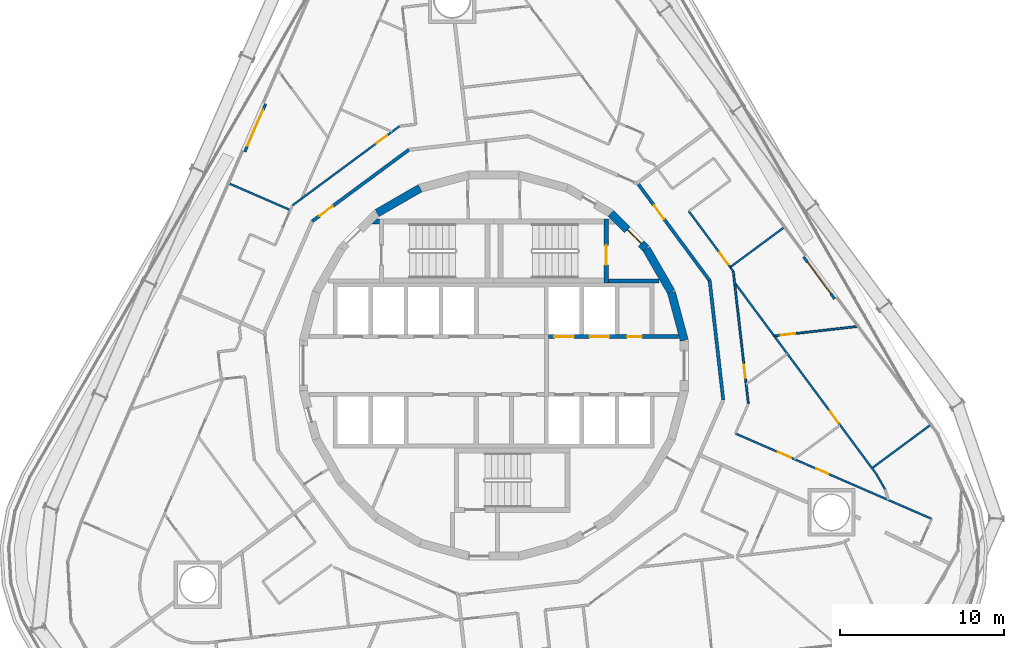
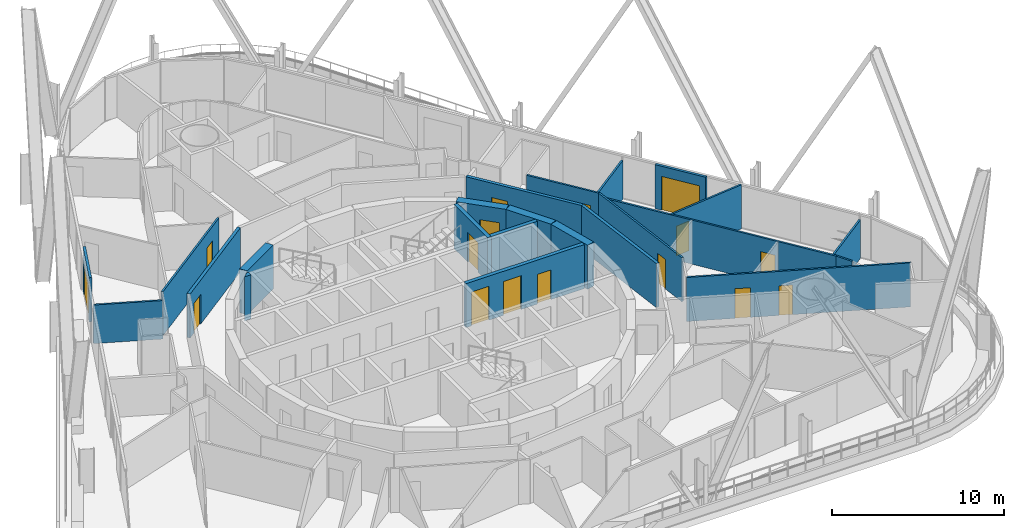
# One storey, part 20 of 32: 24 walls, 16 doors, 16 openings.
"""IFC4 building model written with IfcOpenShell, lengths in metres."""

from ifc_helpers import new_model, si_unit, direction, frame, frame_2d, origin, place, context, subcontext, project, spatial, polyline, rectangle, outline, extrude, material, layer, layer_set, type_object, element, fill, save


model = new_model("IFC4")

# Units and contexts
model_context = context("Model", 3, precision=1e-05, world=origin(), true_north=direction((0.0, 1.0)))
body_context = subcontext(model_context, "Body", "Model", "MODEL_VIEW")
ifc_project = project(units=[si_unit("LENGTHUNIT", "METRE"), si_unit("AREAUNIT", "SQUARE_METRE"), si_unit("VOLUMEUNIT", "CUBIC_METRE"), si_unit("PLANEANGLEUNIT", "RADIAN"), si_unit("MASSUNIT", "GRAM", prefix="KILO")], contexts=[model_context])

# Site, building, storey
site_placement = place(None, origin())
site = spatial("IfcSite", under=ifc_project, at=site_placement, CompositionType="ELEMENT")
building_placement = place(site_placement, origin())
building = spatial("IfcBuilding", under=site, at=building_placement, Name="Spindle Arch Residences", CompositionType="ELEMENT")
storey_placement = place(building_placement, frame((0.0, 0.0, 76.699951171875)))
storey = spatial("IfcBuildingStorey", under=building, at=storey_placement, Name="L17", CompositionType="ELEMENT", Elevation=76.699951171875)

# Walls
ifc_material_1 = material(Name="Concrete C50/60", Category="concrete")
ifc_layer_1 = layer(ifc_material_1, 0.5)
ifc_layer_set_1 = layer_set([ifc_layer_1], Name="Core outline wall 500")
wall_type_1 = type_object("IfcWallType", Name="Core outline wall 500", PredefinedType="SHEAR", material=ifc_layer_set_1)
for number, where, z_axis, x_axis, name in (
    (1, (11.642822265625, 1.5498046875, 0.0), (0.0, 0.0, 1.0), (-0.258734743916, 0.965948410781, 0.0), "Core outline wall 7"),
    (2, (10.84521484375, 4.510498046875, 0.0), (0.0, 0.0, 1.0), (-0.500087131594, 0.865975092491, 0.0), "Core outline wall 8"),
):
    element("IfcWall", number, at=place(storey_placement, frame(where, z_axis=z_axis, x_axis=x_axis)), inside=storey, type_object=wall_type_1, Name=name, PredefinedType="SHEAR", context=body_context, shape_type="SweptSolid", body=[
        extrude(rectangle(XDim=3.03271484375, YDim=0.5, at=frame_2d((1.516357421875, 0.0))), origin(), (0.0, 0.0, 1.0), 3.1201171875),
    ])

# Wall, opening, door
wall_1_placement = place(storey_placement, frame((9.30810546875, 7.163818359375, 0.0), z_axis=(0.0, 0.0, 1.0), x_axis=(-0.707106781187, 0.707106781187, 0.0)))
wall_1 = element("IfcWall", 3, at=wall_1_placement, inside=storey, type_object=wall_type_1, Name="Core outline wall 9", PredefinedType="SHEAR", context=body_context, shape_type="SweptSolid", body=[
    extrude(rectangle(XDim=3.032470703125, YDim=0.5, at=frame_2d((1.51611328125, 0.0))), origin(), (0.0, 0.0, 1.0), 3.1201171875),
])
opening_1_placement = place(wall_1_placement, frame((0.416259765625, 0.0, 0.0)))
opening_1 = element("IfcOpeningElement", 4, at=opening_1_placement, cuts=wall_1, Name="Opening R2A0-AD01", PredefinedType="OPENING", context=body_context, shape_type="SweptSolid", body=[
    extrude(rectangle(XDim=1.199951171875, YDim=2.10009765625, at=frame_2d((0.60009765625, 1.050048828125))), frame((0.0, 0.260009765625, 0.0), z_axis=(0.0, -1.0, 0.0), x_axis=(1.0, 0.0, 0.0)), (0.0, 0.0, 1.0), 0.52001953125),
])
ifc_material_2 = material(Name="Steel, fire-resisting door", Category="steel")
door_type_1 = type_object("IfcDoorType", Name="Stair airlock door 1200x2100", OperationType="SINGLE_SWING_LEFT", PredefinedType="DOOR", material=ifc_material_2)
door_1_placement = place(opening_1_placement, origin())
door_1 = element("IfcDoor", 5, at=door_1_placement, inside=storey, type_object=door_type_1, Name="Stair airlock door R2A0-AD01", OperationType="SINGLE_SWING_RIGHT", OverallHeight=2.10009765625, OverallWidth=1.199951171875, PredefinedType="DOOR", context=body_context, shape_type="SweptSolid", body=[
    extrude(rectangle(XDim=1.199951171875, YDim=2.10009765625, at=frame_2d((0.60009765625, 1.050048828125))), frame((0.0, 0.02490234375, 0.0), z_axis=(0.0, -1.0, 0.0), x_axis=(1.0, 0.0, 0.0)), (0.0, 0.0, 1.0), 0.050048828125),
])
fill(opening_1, door_1)

# Walls
wall_2_placement = place(storey_placement, frame((-4.510498046875, 10.84521484375, 0.0), z_axis=(0.0, 0.0, 1.0), x_axis=(-0.865975092491, -0.500087131594, 0.0)))
element("IfcWall", 6, at=wall_2_placement, inside=storey, type_object=wall_type_1, Name="Core outline wall 14", PredefinedType="SHEAR", context=body_context, shape_type="SweptSolid", body=[
    extrude(rectangle(XDim=3.03271484375, YDim=0.5, at=frame_2d((1.516357421875, 0.0))), origin(), (0.0, 0.0, 1.0), 3.1201171875),
])
ifc_material_3 = material(Name="Calcium silicate block, plastered")
ifc_layer_2 = layer(ifc_material_3, 0.199951171875)
ifc_layer_set_2 = layer_set([ifc_layer_2], Name="Corridor wall 200")
wall_type_2 = type_object("IfcWallType", Name="Corridor wall 200", PredefinedType="STANDARD", material=ifc_layer_set_2)
wall_3_placement = place(storey_placement, frame((14.027587890625, -2.096435546875, 0.0), z_axis=(0.0, 0.0, 1.0), x_axis=(-0.113226782163, 0.993569170114, 0.0)))
element("IfcWall", 7, at=wall_3_placement, inside=storey, type_object=wall_type_2, Name="Corridor wall R2A0-W005", PredefinedType="STANDARD", context=body_context, shape_type="SweptSolid", body=[
    extrude(rectangle(XDim=7.341796875, YDim=0.199951171875, at=frame_2d((3.6708984375, 0.0))), origin(), (0.0, 0.0, 1.0), 3.1201171875),
])

# Wall, opening, door
wall_4_placement = place(storey_placement, frame((13.1962890625, 5.1982421875, 0.0), z_axis=(0.0, 0.0, 1.0), x_axis=(-0.594805187394, 0.803869883159, 0.0)))
wall_4 = element("IfcWall", 8, at=wall_4_placement, inside=storey, type_object=wall_type_2, Name="Corridor wall R2A0-W006", PredefinedType="STANDARD", context=body_context, shape_type="SweptSolid", body=[
    extrude(rectangle(XDim=7.341796875, YDim=0.199951171875, at=frame_2d((3.6708984375, 0.0))), origin(), (0.0, 0.0, 1.0), 3.1201171875),
])
opening_2_placement = place(wall_4_placement, frame((4.699951171875, 0.0, 0.0)))
opening_2 = element("IfcOpeningElement", 9, at=opening_2_placement, cuts=wall_4, Name="Opening R2A0-FD01", PredefinedType="OPENING", context=body_context, shape_type="SweptSolid", body=[
    extrude(rectangle(XDim=1.0, YDim=2.10009765625, at=frame_2d((0.5, 1.050048828125))), frame((0.0, 0.10986328125, 0.0), z_axis=(0.0, -1.0, 0.0), x_axis=(1.0, 0.0, 0.0)), (0.0, 0.0, 1.0), 0.219970703125),
])
ifc_material_4 = material(Name="Timber, fire-resisting door set", Category="wood")
door_type_2 = type_object("IfcDoorType", Name="Flat entrance door 1000x2100", OperationType="NOTDEFINED", PredefinedType="DOOR", material=ifc_material_4)
door_2_placement = place(opening_2_placement, origin())
door_2 = element("IfcDoor", 10, at=door_2_placement, inside=storey, type_object=door_type_2, Name="Flat entrance door R2A0-FD01", OperationType="SINGLE_SWING_RIGHT", OverallHeight=2.10009765625, OverallWidth=1.0, PredefinedType="DOOR", context=body_context, shape_type="SweptSolid", body=[
    extrude(rectangle(XDim=1.0, YDim=2.10009765625, at=frame_2d((0.5, 1.050048828125))), frame((0.0, 0.02490234375, 0.0), z_axis=(0.0, -1.0, 0.0), x_axis=(1.0, 0.0, 0.0)), (0.0, 0.0, 1.0), 0.050048828125),
])
fill(opening_2, door_2)

wall_5_placement = place(storey_placement, frame((-5.1982421875, 13.1962890625, 0.0), z_axis=(0.0, 0.0, 1.0), x_axis=(-0.803869883159, -0.594805187394, 0.0)))
wall_5 = element("IfcWall", 11, at=wall_5_placement, inside=storey, type_object=wall_type_2, Name="Corridor wall R2A0-W009", PredefinedType="STANDARD", context=body_context, shape_type="SweptSolid", body=[
    extrude(rectangle(XDim=7.341796875, YDim=0.199951171875, at=frame_2d((3.6708984375, 0.0))), origin(), (0.0, 0.0, 1.0), 3.1201171875),
])
opening_3_placement = place(wall_5_placement, frame((5.800048828125, 0.0, 0.0)))
opening_3 = element("IfcOpeningElement", 12, at=opening_3_placement, cuts=wall_5, Name="Opening R2A0-FD03", PredefinedType="OPENING", context=body_context, shape_type="SweptSolid", body=[
    extrude(rectangle(XDim=1.0, YDim=2.10009765625, at=frame_2d((0.5, 1.050048828125))), frame((0.0, 0.10986328125, 0.0), z_axis=(0.0, -1.0, 0.0), x_axis=(1.0, 0.0, 0.0)), (0.0, 0.0, 1.0), 0.219970703125),
])
door_3_placement = place(opening_3_placement, origin())
door_3 = element("IfcDoor", 13, at=door_3_placement, inside=storey, type_object=door_type_2, Name="Flat entrance door R2A0-FD03", OperationType="SINGLE_SWING_LEFT", OverallHeight=2.10009765625, OverallWidth=1.0, PredefinedType="DOOR", context=body_context, shape_type="SweptSolid", body=[
    extrude(rectangle(XDim=1.0, YDim=2.10009765625, at=frame_2d((0.5, 1.050048828125))), frame((0.0, 0.02490234375, 0.0), z_axis=(0.0, -1.0, 0.0), x_axis=(1.0, 0.0, 0.0)), (0.0, 0.0, 1.0), 0.050048828125),
])
fill(opening_3, door_3)

# Wall, openings, doors
ifc_material_5 = material(Name="Concrete C40/50", Category="concrete")
ifc_layer_3 = layer(ifc_material_5, 0.25)
ifc_layer_set_3 = layer_set([ifc_layer_3], Name="Fire-lift lobby wall 250")
wall_type_3 = type_object("IfcWallType", Name="Fire-lift lobby wall 250", PredefinedType="SHEAR", material=ifc_layer_set_3)
wall_6_placement = place(storey_placement, frame((3.35009765625, 1.77490234375, 0.0), z_axis=(0.0, 0.0, 1.0), x_axis=(1.0, 0.0, 0.0)))
wall_6 = element("IfcWall", 14, at=wall_6_placement, inside=storey, type_object=wall_type_3, Name="Lift shaft front wall NE", PredefinedType="SHEAR", context=body_context, shape_type="SweptSolid", body=[
    extrude(rectangle(XDim=7.929931640625, YDim=0.25, at=frame_2d((3.96484375, 0.0))), origin(), (0.0, 0.0, 1.0), 3.1201171875),
])
opening_4_placement = place(wall_6_placement, frame((0.35009765625, 0.0, 0.0)))
opening_4 = element("IfcOpeningElement", 15, at=opening_4_placement, cuts=wall_6, Name="Opening R2A0-SLD01", PredefinedType="OPENING", context=body_context, shape_type="SweptSolid", body=[
    extrude(rectangle(XDim=1.199951171875, YDim=2.39990234375, at=frame_2d((0.60009765625, 1.199951171875))), frame((0.0, 0.135009765625, 0.0), z_axis=(0.0, -1.0, 0.0), x_axis=(1.0, 0.0, 0.0)), (0.0, 0.0, 1.0), 0.27001953125),
])
opening_5_placement = place(wall_6_placement, frame((2.5, 0.0, 0.0)))
opening_5 = element("IfcOpeningElement", 16, at=opening_5_placement, cuts=wall_6, Name="Opening R2A0-SLD02", PredefinedType="OPENING", context=body_context, shape_type="SweptSolid", body=[
    extrude(rectangle(XDim=1.199951171875, YDim=2.39990234375, at=frame_2d((0.60009765625, 1.199951171875))), frame((0.0, 0.135009765625, 0.0), z_axis=(0.0, -1.0, 0.0), x_axis=(1.0, 0.0, 0.0)), (0.0, 0.0, 1.0), 0.27001953125),
])
opening_6_placement = place(wall_6_placement, frame((4.800048828125, 0.0, 0.0)))
opening_6 = element("IfcOpeningElement", 17, at=opening_6_placement, cuts=wall_6, Name="Opening R2A0-WD02", PredefinedType="OPENING", context=body_context, shape_type="SweptSolid", body=[
    extrude(rectangle(XDim=0.89990234375, YDim=2.10009765625, at=frame_2d((0.449951171875, 1.050048828125))), frame((0.0, 0.135009765625, 0.0), z_axis=(0.0, -1.0, 0.0), x_axis=(1.0, 0.0, 0.0)), (0.0, 0.0, 1.0), 0.27001953125),
])
ifc_material_6 = material(Name="Steel, fire-resisting landing door", Category="steel")
door_type_3 = type_object("IfcDoorType", Name="Service lift landing door 1200x2400", OperationType="DOUBLE_DOOR_SLIDING", PredefinedType="DOOR", material=ifc_material_6)
door_4_placement = place(opening_4_placement, origin())
door_4 = element("IfcDoor", 18, at=door_4_placement, inside=storey, type_object=door_type_3, Name="Service lift landing door R2A0-SLD01", OperationType="DOUBLE_DOOR_SLIDING", OverallHeight=2.39990234375, OverallWidth=1.199951171875, PredefinedType="DOOR", context=body_context, shape_type="SweptSolid", body=[
    extrude(rectangle(XDim=1.199951171875, YDim=2.39990234375, at=frame_2d((0.60009765625, 1.199951171875))), frame((0.0, 0.02490234375, 0.0), z_axis=(0.0, -1.0, 0.0), x_axis=(1.0, 0.0, 0.0)), (0.0, 0.0, 1.0), 0.050048828125),
])
fill(opening_4, door_4)
door_5_placement = place(opening_5_placement, origin())
door_5 = element("IfcDoor", 19, at=door_5_placement, inside=storey, type_object=door_type_3, Name="Service lift landing door R2A0-SLD02", OperationType="DOUBLE_DOOR_SLIDING", OverallHeight=2.39990234375, OverallWidth=1.199951171875, PredefinedType="DOOR", context=body_context, shape_type="SweptSolid", body=[
    extrude(rectangle(XDim=1.199951171875, YDim=2.39990234375, at=frame_2d((0.60009765625, 1.199951171875))), frame((0.0, 0.02490234375, 0.0), z_axis=(0.0, -1.0, 0.0), x_axis=(1.0, 0.0, 0.0)), (0.0, 0.0, 1.0), 0.050048828125),
])
fill(opening_5, door_5)
ifc_material_7 = material(Name="Steel, fire-resisting door", Category="steel")
door_type_4 = type_object("IfcDoorType", Name="Service room door 900x2100", OperationType="SINGLE_SWING_LEFT", PredefinedType="DOOR", material=ifc_material_7)
door_6_placement = place(opening_6_placement, origin())
door_6 = element("IfcDoor", 20, at=door_6_placement, inside=storey, type_object=door_type_4, Name="Service room door R2A0-WD02", OperationType="SINGLE_SWING_LEFT", OverallHeight=2.10009765625, OverallWidth=0.89990234375, PredefinedType="DOOR", context=body_context, shape_type="SweptSolid", body=[
    extrude(rectangle(XDim=0.89990234375, YDim=2.10009765625, at=frame_2d((0.449951171875, 1.050048828125))), frame((0.0, 0.02490234375, 0.0), z_axis=(0.0, -1.0, 0.0), x_axis=(1.0, 0.0, 0.0)), (0.0, 0.0, 1.0), 0.050048828125),
])
fill(opening_6, door_6)

# Wall, opening, door
ifc_material_8 = material(Name="Plasterboard on steel studs", Category="steel")
ifc_layer_4 = layer(ifc_material_8, 0.1201171875)
ifc_layer_set_4 = layer_set([ifc_layer_4], Name="Flat partition 120")
wall_type_4 = type_object("IfcWallType", Name="Flat partition 120", PredefinedType="PARTITIONING", material=ifc_layer_set_4)
wall_7_placement = place(storey_placement, frame((15.563232421875, -2.325927734375, 0.0), z_axis=(0.0, 0.0, 1.0), x_axis=(-0.11320423706, 0.993571739087, 0.0)))
wall_7 = element("IfcWall", 21, at=wall_7_placement, inside=storey, type_object=wall_type_4, Name="Flat partition R2A0-W028", PredefinedType="PARTITIONING", context=body_context, shape_type="SweptSolid", body=[
    extrude(rectangle(XDim=8.1455078125, YDim=0.1201171875, at=frame_2d((4.07275390625, 0.0))), origin(), (0.0, 0.0, 1.0), 3.1201171875),
])
opening_7_placement = place(wall_7_placement, frame((1.592041015625, 0.0, 0.0)))
opening_7 = element("IfcOpeningElement", 22, at=opening_7_placement, cuts=wall_7, Name="Opening R2A0-BD01", PredefinedType="OPENING", context=body_context, shape_type="SweptSolid", body=[
    extrude(rectangle(XDim=0.800048828125, YDim=2.10009765625, at=frame_2d((0.39990234375, 1.050048828125))), frame((0.0, 0.070068359375, 0.0), z_axis=(0.0, -1.0, 0.0), x_axis=(1.0, 0.0, 0.0)), (0.0, 0.0, 1.0), 0.14013671875),
])
ifc_material_9 = material(Name="Timber door set", Category="wood")
door_type_5 = type_object("IfcDoorType", Name="Bathroom door 800x2100", OperationType="NOTDEFINED", PredefinedType="DOOR", material=ifc_material_9)
door_7_placement = place(opening_7_placement, origin())
door_7 = element("IfcDoor", 23, at=door_7_placement, inside=storey, type_object=door_type_5, Name="Bathroom door R2A0-BD01", OperationType="SINGLE_SWING_LEFT", OverallHeight=2.10009765625, OverallWidth=0.800048828125, PredefinedType="DOOR", context=body_context, shape_type="SweptSolid", body=[
    extrude(rectangle(XDim=0.800048828125, YDim=2.10009765625, at=frame_2d((0.39990234375, 1.050048828125))), frame((0.0, 0.02490234375, 0.0), z_axis=(0.0, -1.0, 0.0), x_axis=(1.0, 0.0, 0.0)), (0.0, 0.0, 1.0), 0.050048828125),
])
fill(opening_7, door_7)

wall_8_placement = place(storey_placement, frame((14.64111328125, 5.767333984375, 0.0), z_axis=(0.0, 0.0, 1.0), x_axis=(-0.594785744505, 0.803884269117, 0.0)))
wall_8 = element("IfcWall", 24, at=wall_8_placement, inside=storey, type_object=wall_type_4, Name="Flat partition R2A0-W029", PredefinedType="PARTITIONING", context=body_context, shape_type="SweptSolid", body=[
    extrude(rectangle(XDim=4.573486328125, YDim=0.1201171875, at=frame_2d((2.28662109375, 0.0))), origin(), (0.0, 0.0, 1.0), 3.1201171875),
])
opening_8_placement = place(wall_8_placement, frame((0.513427734375, 0.0, 0.0)))
opening_8 = element("IfcOpeningElement", 25, at=opening_8_placement, cuts=wall_8, Name="Opening R2A0-ID01", PredefinedType="OPENING", context=body_context, shape_type="SweptSolid", body=[
    extrude(rectangle(XDim=0.89990234375, YDim=2.10009765625, at=frame_2d((0.449951171875, 1.050048828125))), frame((0.0, 0.070068359375, 0.0), z_axis=(0.0, -1.0, 0.0), x_axis=(1.0, 0.0, 0.0)), (0.0, 0.0, 1.0), 0.14013671875),
])
ifc_material_10 = material(Name="Timber door set", Category="wood")
door_type_6 = type_object("IfcDoorType", Name="Room door 900x2100", OperationType="NOTDEFINED", PredefinedType="DOOR", material=ifc_material_10)
door_8_placement = place(opening_8_placement, origin())
door_8 = element("IfcDoor", 26, at=door_8_placement, inside=storey, type_object=door_type_6, Name="Room door R2A0-ID01", OperationType="SINGLE_SWING_LEFT", OverallHeight=2.10009765625, OverallWidth=0.89990234375, PredefinedType="DOOR", context=body_context, shape_type="SweptSolid", body=[
    extrude(rectangle(XDim=0.89990234375, YDim=2.10009765625, at=frame_2d((0.449951171875, 1.050048828125))), frame((0.0, 0.02490234375, 0.0), z_axis=(0.0, -1.0, 0.0), x_axis=(1.0, 0.0, 0.0)), (0.0, 0.0, 1.0), 0.050048828125),
])
fill(opening_8, door_8)

# Wall, openings, doors
wall_9_placement = place(storey_placement, frame((26.770263671875, -9.369140625, 0.0), z_axis=(0.0, 0.0, 1.0), x_axis=(-0.917058488031, 0.39875271727, 0.0)))
wall_9 = element("IfcWall", 27, at=wall_9_placement, inside=storey, type_object=wall_type_4, Name="Flat partition R2A0-W036", PredefinedType="PARTITIONING", context=body_context, shape_type="SweptSolid", body=[
    extrude(rectangle(XDim=13.0859375, YDim=0.1201171875, at=frame_2d((6.54296875, 0.0))), origin(), (0.0, 0.0, 1.0), 3.1201171875),
])
opening_9_placement = place(wall_9_placement, frame((6.889404296875, 0.0, 0.0)))
opening_9 = element("IfcOpeningElement", 28, at=opening_9_placement, cuts=wall_9, Name="Opening R2A0-BD02", PredefinedType="OPENING", context=body_context, shape_type="SweptSolid", body=[
    extrude(rectangle(XDim=0.800048828125, YDim=2.10009765625, at=frame_2d((0.39990234375, 1.050048828125))), frame((0.0, 0.070068359375, 0.0), z_axis=(0.0, -1.0, 0.0), x_axis=(1.0, 0.0, 0.0)), (0.0, 0.0, 1.0), 0.14013671875),
])
opening_10_placement = place(wall_9_placement, frame((9.358154296875, 0.0, 0.0)))
opening_10 = element("IfcOpeningElement", 29, at=opening_10_placement, cuts=wall_9, Name="Opening R2A0-ID03", PredefinedType="OPENING", context=body_context, shape_type="SweptSolid", body=[
    extrude(rectangle(XDim=0.89990234375, YDim=2.10009765625, at=frame_2d((0.449951171875, 1.050048828125))), frame((0.0, 0.070068359375, 0.0), z_axis=(0.0, -1.0, 0.0), x_axis=(1.0, 0.0, 0.0)), (0.0, 0.0, 1.0), 0.14013671875),
])
door_9_placement = place(opening_9_placement, origin())
door_9 = element("IfcDoor", 30, at=door_9_placement, inside=storey, type_object=door_type_5, Name="Bathroom door R2A0-BD02", OperationType="SINGLE_SWING_LEFT", OverallHeight=2.10009765625, OverallWidth=0.800048828125, PredefinedType="DOOR", context=body_context, shape_type="SweptSolid", body=[
    extrude(rectangle(XDim=0.800048828125, YDim=2.10009765625, at=frame_2d((0.39990234375, 1.050048828125))), frame((0.0, 0.02490234375, 0.0), z_axis=(0.0, -1.0, 0.0), x_axis=(1.0, 0.0, 0.0)), (0.0, 0.0, 1.0), 0.050048828125),
])
fill(opening_9, door_9)
door_10_placement = place(opening_10_placement, origin())
door_10 = element("IfcDoor", 31, at=door_10_placement, inside=storey, type_object=door_type_6, Name="Room door R2A0-ID03", OperationType="SINGLE_SWING_LEFT", OverallHeight=2.10009765625, OverallWidth=0.89990234375, PredefinedType="DOOR", context=body_context, shape_type="SweptSolid", body=[
    extrude(rectangle(XDim=0.89990234375, YDim=2.10009765625, at=frame_2d((0.449951171875, 1.050048828125))), frame((0.0, 0.02490234375, 0.0), z_axis=(0.0, -1.0, 0.0), x_axis=(1.0, 0.0, 0.0)), (0.0, 0.0, 1.0), 0.050048828125),
])
fill(opening_10, door_10)

# Wall, opening, door
wall_10_placement = place(storey_placement, frame((21.201171875, -3.673583984375, 0.0), z_axis=(0.0, 0.0, 1.0), x_axis=(-0.594822450109, 0.803857109719, 0.0)))
wall_10 = element("IfcWall", 32, at=wall_10_placement, inside=storey, type_object=wall_type_4, Name="Flat partition R2A0-W038", PredefinedType="PARTITIONING", context=body_context, shape_type="SweptSolid", body=[
    extrude(rectangle(XDim=10.898193359375, YDim=0.1201171875, at=frame_2d((5.44921875, 0.0))), origin(), (0.0, 0.0, 1.0), 3.1201171875),
])
opening_11_placement = place(wall_10_placement, frame((0.199951171875, 0.0, 0.0)))
opening_11 = element("IfcOpeningElement", 33, at=opening_11_placement, cuts=wall_10, Name="Opening R2A0-ID04", PredefinedType="OPENING", context=body_context, shape_type="SweptSolid", body=[
    extrude(rectangle(XDim=0.89990234375, YDim=2.10009765625, at=frame_2d((0.449951171875, 1.050048828125))), frame((0.0, 0.070068359375, 0.0), z_axis=(0.0, -1.0, 0.0), x_axis=(1.0, 0.0, 0.0)), (0.0, 0.0, 1.0), 0.14013671875),
])
door_11_placement = place(opening_11_placement, origin())
door_11 = element("IfcDoor", 34, at=door_11_placement, inside=storey, type_object=door_type_6, Name="Room door R2A0-ID04", OperationType="SINGLE_SWING_LEFT", OverallHeight=2.10009765625, OverallWidth=0.89990234375, PredefinedType="DOOR", context=body_context, shape_type="SweptSolid", body=[
    extrude(rectangle(XDim=0.89990234375, YDim=2.10009765625, at=frame_2d((0.449951171875, 1.050048828125))), frame((0.0, 0.02490234375, 0.0), z_axis=(0.0, -1.0, 0.0), x_axis=(1.0, 0.0, 0.0)), (0.0, 0.0, 1.0), 0.050048828125),
])
fill(opening_11, door_11)

wall_11_placement = place(storey_placement, frame((17.140869140625, 1.813720703125, 0.0), z_axis=(0.0, 0.0, 1.0), x_axis=(0.993575814944, 0.113168458319, 0.0)))
wall_11 = element("IfcWall", 35, at=wall_11_placement, inside=storey, type_object=wall_type_4, Name="Flat partition R2A0-W041", PredefinedType="PARTITIONING", context=body_context, shape_type="SweptSolid", body=[
    extrude(rectangle(XDim=5.08056640625, YDim=0.1201171875, at=frame_2d((2.540283203125, 0.0))), origin(), (0.0, 0.0, 1.0), 3.1201171875),
])
opening_12_placement = place(wall_11_placement, frame((0.39990234375, 0.0, 0.0)))
opening_12 = element("IfcOpeningElement", 36, at=opening_12_placement, cuts=wall_11, Name="Opening R2A0-ID05", PredefinedType="OPENING", context=body_context, shape_type="SweptSolid", body=[
    extrude(rectangle(XDim=0.89990234375, YDim=2.10009765625, at=frame_2d((0.449951171875, 1.050048828125))), frame((0.0, 0.070068359375, 0.0), z_axis=(0.0, -1.0, 0.0), x_axis=(1.0, 0.0, 0.0)), (0.0, 0.0, 1.0), 0.14013671875),
])
door_12_placement = place(opening_12_placement, origin())
door_12 = element("IfcDoor", 37, at=door_12_placement, inside=storey, type_object=door_type_6, Name="Room door R2A0-ID05", OperationType="SINGLE_SWING_LEFT", OverallHeight=2.10009765625, OverallWidth=0.89990234375, PredefinedType="DOOR", context=body_context, shape_type="SweptSolid", body=[
    extrude(rectangle(XDim=0.89990234375, YDim=2.10009765625, at=frame_2d((0.449951171875, 1.050048828125))), frame((0.0, 0.02490234375, 0.0), z_axis=(0.0, -1.0, 0.0), x_axis=(1.0, 0.0, 0.0)), (0.0, 0.0, 1.0), 0.050048828125),
])
fill(opening_12, door_12)

# Walls
wall_12_placement = place(storey_placement, frame((21.201171875, -3.673583984375, 0.0), z_axis=(0.0, 0.0, 1.0), x_axis=(0.594805265457, -0.803869825398, 0.0)))
element("IfcWall", 38, at=wall_12_placement, inside=storey, type_object=wall_type_4, Name="Flat partition R2A0-W042", PredefinedType="PARTITIONING", context=body_context, shape_type="SweptSolid", body=[
    extrude(rectangle(XDim=3.678466796875, YDim=0.1201171875, at=frame_2d((1.83935546875, 0.0))), origin(), (0.0, 0.0, 1.0), 3.1201171875),
])
wall_13_placement = place(storey_placement, frame((23.38916015625, -6.630615234375, 0.0), z_axis=(0.0, 0.0, 1.0), x_axis=(0.497348044937, -0.867551106389, 0.0)))
element("IfcWall", 39, at=wall_13_placement, inside=storey, type_object=wall_type_4, Name="Flat partition R2A0-W043", PredefinedType="PARTITIONING", context=body_context, shape_type="SweptSolid", body=[
    extrude(rectangle(XDim=1.0869140625, YDim=0.1201171875, at=frame_2d((0.54345703125, 0.0))), origin(), (0.0, 0.0, 1.0), 3.1201171875),
])

# Wall, opening, door
wall_14_placement = place(storey_placement, frame((-5.767333984375, 14.64111328125, 0.0), z_axis=(0.0, 0.0, 1.0), x_axis=(-0.803853364238, -0.594827511807, 0.0)))
wall_14 = element("IfcWall", 40, at=wall_14_placement, inside=storey, type_object=wall_type_4, Name="Flat partition R2A0-W067", PredefinedType="PARTITIONING", context=body_context, shape_type="SweptSolid", body=[
    extrude(rectangle(XDim=8.1455078125, YDim=0.1201171875, at=frame_2d((4.07275390625, 0.0))), origin(), (0.0, 0.0, 1.0), 3.1201171875),
])
opening_13_placement = place(wall_14_placement, frame((0.9697265625, 0.0, 0.0)))
opening_13 = element("IfcOpeningElement", 41, at=opening_13_placement, cuts=wall_14, Name="Opening R2A0-BD04", PredefinedType="OPENING", context=body_context, shape_type="SweptSolid", body=[
    extrude(rectangle(XDim=0.800048828125, YDim=2.10009765625, at=frame_2d((0.39990234375, 1.050048828125))), frame((0.0, 0.070068359375, 0.0), z_axis=(0.0, -1.0, 0.0), x_axis=(1.0, 0.0, 0.0)), (0.0, 0.0, 1.0), 0.14013671875),
])
door_13_placement = place(opening_13_placement, origin())
door_13 = element("IfcDoor", 42, at=door_13_placement, inside=storey, type_object=door_type_5, Name="Bathroom door R2A0-BD04", OperationType="SINGLE_SWING_LEFT", OverallHeight=2.10009765625, OverallWidth=0.800048828125, PredefinedType="DOOR", context=body_context, shape_type="SweptSolid", body=[
    extrude(rectangle(XDim=0.800048828125, YDim=2.10009765625, at=frame_2d((0.39990234375, 1.050048828125))), frame((0.0, 0.02490234375, 0.0), z_axis=(0.0, -1.0, 0.0), x_axis=(1.0, 0.0, 0.0)), (0.0, 0.0, 1.0), 0.050048828125),
])
fill(opening_13, door_13)

# Walls
ifc_material_11 = material(Name="Plasterboard on steel studs", Category="steel")
ifc_layer_5 = layer(ifc_material_11, 0.1201171875)
ifc_layer_set_5 = layer_set([ifc_layer_5], Name="Flat partition 120 under beam 2730")
wall_type_5 = type_object("IfcWallType", Name="Flat partition 120 under beam 2730", PredefinedType="PARTITIONING", material=ifc_layer_set_5)
wall_15_placement = place(storey_placement, frame((17.716552734375, 8.432861328125, 0.0), z_axis=(0.0, 0.0, 1.0), x_axis=(-0.803853407146, -0.594827453821, 0.0)))
element("IfcWall", 43, at=wall_15_placement, inside=storey, type_object=wall_type_5, Name="Flat partition R2A0-W040", PredefinedType="PARTITIONING", context=body_context, shape_type="SweptSolid", body=[
    extrude(rectangle(XDim=4.0576171875, YDim=0.1201171875, at=frame_2d((2.02880859375, 0.0))), origin(), (0.0, 0.0, 1.0), 2.72998046875),
])
wall_16_placement = place(storey_placement, frame((26.6611328125, -3.6552734375, 0.0), z_axis=(0.0, 0.0, 1.0), x_axis=(-0.803825449575, -0.594865233995, 0.0)))
element("IfcWall", 44, at=wall_16_placement, inside=storey, type_object=wall_type_5, Name="Flat partition R2A0-W045", PredefinedType="PARTITIONING", context=body_context, shape_type="SweptSolid", body=[
    extrude(rectangle(XDim=4.400146484375, YDim=0.1201171875, at=frame_2d((2.2001953125, 0.0))), origin(), (0.0, 0.0, 1.0), 2.72998046875),
])
wall_17_placement = place(storey_placement, frame((-16.1611328125, 11.12646484375, 0.0), z_axis=(0.0, 0.0, 1.0), x_axis=(0.91705953326, -0.398750313425, 0.0)))
element("IfcWall", 45, at=wall_17_placement, inside=storey, type_object=wall_type_5, Name="Flat partition R2A0-W082", PredefinedType="PARTITIONING", context=body_context, shape_type="SweptSolid", body=[
    extrude(rectangle(XDim=4.057373046875, YDim=0.1201171875, at=frame_2d((2.02880859375, 0.0))), origin(), (0.0, 0.0, 1.0), 2.72998046875),
])

# Wall, opening, door
ifc_material_12 = material(Name="Non-combustible mineral wool insulated aluminium faced external wall (K0)", Category="aluminium")
ifc_layer_6 = layer(ifc_material_12, 0.159912109375)
ifc_layer_set_6 = layer_set([ifc_layer_6], Name="Insulated external wall panel 160")
wall_type_6 = type_object("IfcWallType", Name="Insulated external wall panel 160", PredefinedType="STANDARD", material=ifc_layer_set_6)
wall_18_placement = place(storey_placement, frame((20.840087890625, 4.076904296875, 0.0), z_axis=(0.0, 0.0, 1.0), x_axis=(-0.594824273168, 0.803855760725, 0.0)))
wall_18 = element("IfcWall", 46, at=wall_18_placement, inside=storey, type_object=wall_type_6, Name="External wall L17 bay 7", PredefinedType="STANDARD", context=body_context, shape_type="SweptSolid", body=[
    extrude(rectangle(XDim=3.2001953125, YDim=0.159912109375, at=frame_2d((1.60009765625, 0.0))), origin(), (0.0, 0.0, 1.0), 3.1201171875),
])
opening_14_placement = place(wall_18_placement, frame((0.39990234375, 0.0, 0.0)))
opening_14 = element("IfcOpeningElement", 47, at=opening_14_placement, cuts=wall_18, Name="Opening BD07", PredefinedType="OPENING", context=body_context, shape_type="SweptSolid", body=[
    extrude(rectangle(XDim=2.39990234375, YDim=2.39990234375, at=frame_2d((1.199951171875, 1.199951171875))), frame((0.0, 0.08984375, 0.0), z_axis=(0.0, -1.0, 0.0), x_axis=(1.0, 0.0, 0.0)), (0.0, 0.0, 1.0), 0.179931640625),
])
ifc_material_13 = material(Name="Bronze aluminium frame, tinted double glazing", Category="aluminium")
door_type_7 = type_object("IfcDoorType", Name="Sliding glazed balcony door 2400x2400", OperationType="DOUBLE_DOOR_SLIDING", PredefinedType="DOOR", material=ifc_material_13)
door_14_placement = place(opening_14_placement, origin())
door_14 = element("IfcDoor", 48, at=door_14_placement, inside=storey, type_object=door_type_7, Name="Balcony door BD07", OperationType="DOUBLE_DOOR_SLIDING", OverallHeight=2.39990234375, OverallWidth=2.39990234375, PredefinedType="DOOR", context=body_context, shape_type="SweptSolid", body=[
    extrude(rectangle(XDim=2.39990234375, YDim=2.39990234375, at=frame_2d((1.199951171875, 1.199951171875))), frame((0.0, 0.02490234375, 0.0), z_axis=(0.0, -1.0, 0.0), x_axis=(1.0, 0.0, 0.0)), (0.0, 0.0, 1.0), 0.050048828125),
])
fill(opening_14, door_14)

wall_19_placement = place(storey_placement, frame((-13.950927734375, 16.009521484375, 0.0), z_axis=(0.0, 0.0, 1.0), x_axis=(-0.398720531764, -0.917072482168, 0.0)))
wall_19 = element("IfcWall", 49, at=wall_19_placement, inside=storey, type_object=wall_type_6, Name="External wall L17 bay 15", PredefinedType="STANDARD", context=body_context, shape_type="SweptSolid", body=[
    extrude(rectangle(XDim=3.199951171875, YDim=0.159912109375, at=frame_2d((1.60009765625, 0.0))), origin(), (0.0, 0.0, 1.0), 3.1201171875),
])
opening_15_placement = place(wall_19_placement, frame((0.39990234375, 0.0, 0.0)))
opening_15 = element("IfcOpeningElement", 50, at=opening_15_placement, cuts=wall_19, Name="Opening BD15", PredefinedType="OPENING", context=body_context, shape_type="SweptSolid", body=[
    extrude(rectangle(XDim=2.39990234375, YDim=2.39990234375, at=frame_2d((1.199951171875, 1.199951171875))), frame((0.0, 0.08984375, 0.0), z_axis=(0.0, -1.0, 0.0), x_axis=(1.0, 0.0, 0.0)), (0.0, 0.0, 1.0), 0.179931640625),
])
door_15_placement = place(opening_15_placement, origin())
door_15 = element("IfcDoor", 51, at=door_15_placement, inside=storey, type_object=door_type_7, Name="Balcony door BD15", OperationType="DOUBLE_DOOR_SLIDING", OverallHeight=2.39990234375, OverallWidth=2.39990234375, PredefinedType="DOOR", context=body_context, shape_type="SweptSolid", body=[
    extrude(rectangle(XDim=2.39990234375, YDim=2.39990234375, at=frame_2d((1.199951171875, 1.199951171875))), frame((0.0, 0.02490234375, 0.0), z_axis=(0.0, -1.0, 0.0), x_axis=(1.0, 0.0, 0.0)), (0.0, 0.0, 1.0), 0.050048828125),
])
fill(opening_15, door_15)

# Walls
ifc_material_14 = material(Name="Concrete C40/50", Category="concrete")
ifc_layer_7 = layer(ifc_material_14, 0.25)
ifc_layer_set_7 = layer_set([ifc_layer_7], Name="Stair airlock wall 250")
wall_type_7 = type_object("IfcWallType", Name="Stair airlock wall 250", PredefinedType="SHEAR", material=ifc_layer_set_7)
wall_20_placement = place(storey_placement, frame((7.0, 5.175048828125, 0.0), z_axis=(0.0, 0.0, 1.0), x_axis=(1.0, 0.0, 0.0)))
element("IfcWall", 52, at=wall_20_placement, inside=storey, type_object=wall_type_7, Name="Stair ST-1 airlock wall S", PredefinedType="SHEAR", context=body_context, shape_type="SweptSolid", body=[
    extrude(rectangle(XDim=3.10009765625, YDim=0.25, at=frame_2d((1.550048828125, 0.0))), origin(), (0.0, 0.0, 1.0), 3.1201171875),
])
ifc_material_15 = material(Name="Concrete C40/50", Category="concrete")
wall_type_8 = type_object("IfcWallType", Name="Stair airlock wall profile", PredefinedType="SHEAR", material=ifc_material_15)
wall_21_placement = place(storey_placement, origin())
element("IfcWall", 53, at=wall_21_placement, inside=storey, type_object=wall_type_8, Name="Stair ST-2 airlock wall N", PredefinedType="SHEAR", context=body_context, shape_type="SweptSolid", body=[
    extrude(outline(polyline([(-7.148193359375, 8.969970703125), (-7.0, 8.969970703125), (-7.0, 8.669921875), (-7.4482421875, 8.669921875), (-7.148193359375, 8.969970703125)])), origin(), (0.0, 0.0, 1.0), 3.1201171875),
])

# Wall, opening, door
ifc_material_16 = material(Name="Concrete C50/60", Category="concrete")
ifc_layer_8 = layer(ifc_material_16, 0.25)
ifc_layer_set_8 = layer_set([ifc_layer_8], Name="Stair enclosure wall 250")
wall_type_9 = type_object("IfcWallType", Name="Stair enclosure wall 250", PredefinedType="SHEAR", material=ifc_layer_set_8)
wall_22_placement = place(storey_placement, frame((6.875, 5.050048828125, 0.0), z_axis=(0.0, 0.0, 1.0), x_axis=(0.0, 1.0, 0.0)))
wall_22 = element("IfcWall", 54, at=wall_22_placement, inside=storey, type_object=wall_type_9, Name="Stair ST-1 door wall", PredefinedType="SHEAR", context=body_context, shape_type="SweptSolid", body=[
    extrude(rectangle(XDim=3.919921875, YDim=0.25, at=frame_2d((1.9599609375, 0.0))), origin(), (0.0, 0.0, 1.0), 3.1201171875),
])
opening_16_placement = place(wall_22_placement, frame((1.110107421875, 0.0, 0.0)))
opening_16 = element("IfcOpeningElement", 55, at=opening_16_placement, cuts=wall_22, Name="Opening R2A0-SD01", PredefinedType="OPENING", context=body_context, shape_type="SweptSolid", body=[
    extrude(rectangle(XDim=1.199951171875, YDim=2.10009765625, at=frame_2d((0.60009765625, 1.050048828125))), frame((0.0, 0.135009765625, 0.0), z_axis=(0.0, -1.0, 0.0), x_axis=(1.0, 0.0, 0.0)), (0.0, 0.0, 1.0), 0.27001953125),
])
ifc_material_17 = material(Name="Steel, fire-resisting door", Category="steel")
door_type_8 = type_object("IfcDoorType", Name="Stair door 1200x2100", OperationType="SINGLE_SWING_RIGHT", PredefinedType="DOOR", material=ifc_material_17)
door_16_placement = place(opening_16_placement, origin())
door_16 = element("IfcDoor", 56, at=door_16_placement, inside=storey, type_object=door_type_8, Name="Stair door R2A0-SD01", OperationType="SINGLE_SWING_LEFT", OverallHeight=2.10009765625, OverallWidth=1.199951171875, PredefinedType="DOOR", context=body_context, shape_type="SweptSolid", body=[
    extrude(rectangle(XDim=1.199951171875, YDim=2.10009765625, at=frame_2d((0.60009765625, 1.050048828125))), frame((0.0, 0.02490234375, 0.0), z_axis=(0.0, -1.0, 0.0), x_axis=(1.0, 0.0, 0.0)), (0.0, 0.0, 1.0), 0.050048828125),
])
fill(opening_16, door_16)

save(model, "model.ifc")
